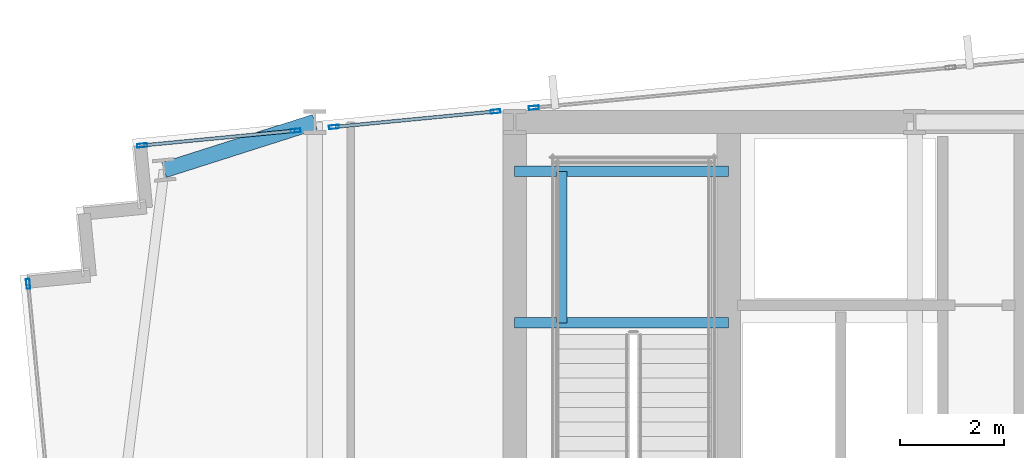
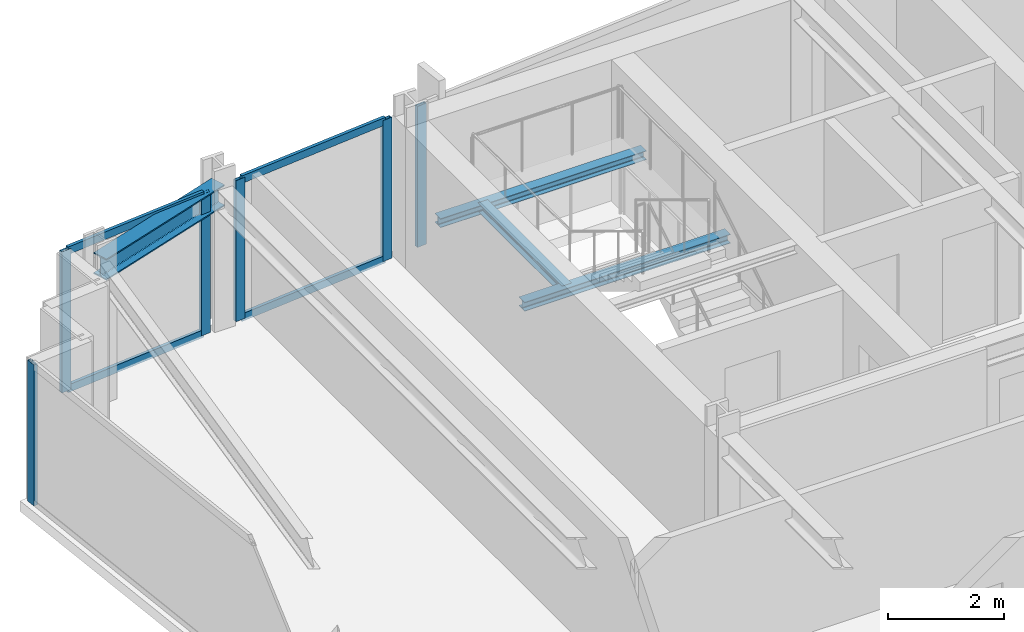
# One storey, part 17 of 32: 10 members, 4 beams, 4 elements without a shape of their own.
"""IFC4 building model written with IfcOpenShell, lengths in metres."""

from ifc_helpers import new_model, si_unit, direction, frame, origin, origin_2d, place, context, subcontext, project, spatial, hollow_rectangle, i_section, extrude, material, material_profile, profile_set, type_object, element, aggregate, save


model = new_model("IFC4")

# Units and contexts
model_context = context("Model", 3, precision=1e-05, world=origin(), true_north=direction((0.0, 1.0)))
body_context = subcontext(model_context, "Body", "Model", "MODEL_VIEW")
ifc_project = project(units=[si_unit("LENGTHUNIT", "METRE"), si_unit("AREAUNIT", "SQUARE_METRE"), si_unit("VOLUMEUNIT", "CUBIC_METRE"), si_unit("PLANEANGLEUNIT", "RADIAN"), si_unit("MASSUNIT", "GRAM", prefix="KILO")], contexts=[model_context])

# Site, building, storey
site_placement = place(None, origin())
site = spatial("IfcSite", under=ifc_project, at=site_placement, CompositionType="ELEMENT")
building_placement = place(site_placement, origin())
building = spatial("IfcBuilding", under=site, at=building_placement, Name="Yelkora Congress Tower", CompositionType="ELEMENT")
storey_placement = place(building_placement, frame((0.0, 0.0, 133.89990234375)))
storey = spatial("IfcBuildingStorey", under=building, at=storey_placement, Name="L36", CompositionType="ELEMENT", Elevation=133.89990234375)

# Beams
ifc_material_1 = material(Name="Steel S355J2", Category="steel")
ifc_material_profile_1 = material_profile(ifc_material_1, i_section(OverallWidth=0.300048828125, OverallDepth=0.449951171875, WebThickness=0.013916015625, FlangeThickness=0.02587890625, FilletRadius=0.027099609375, at=origin_2d()), Name="HEB 450")
ifc_profile_set_1 = profile_set([ifc_material_profile_1], Name="Steel S355J2")
beam_type_1 = type_object("IfcBeamType", Name="BM-GIRD-HEB450", PredefinedType="BEAM", material=ifc_profile_set_1)
beam_1_placement = place(storey_placement, frame((16.306884765625, 45.27734375, 2.755126953125), z_axis=(0.952727067409, 0.303827475759, 0.0), x_axis=(-0.303827475759, 0.952727067409, 0.0)))
element("IfcBeam", 1, at=beam_1_placement, inside=storey, type_object=beam_type_1, Name="L36 Primary Frame Girder N01", PredefinedType="BEAM", context=body_context, shape_type="SweptSolid", body=[
    extrude(i_section(OverallWidth=0.300048828125, OverallDepth=0.449951171875, WebThickness=0.013916015625, FlangeThickness=0.02587890625, FilletRadius=0.027099609375, at=origin_2d()), origin(), (0.0, 0.0, 1.0), 3.03662109375),
])
ifc_material_profile_2 = material_profile(ifc_material_1, i_section(OverallWidth=0.199951171875, OverallDepth=0.18994140625, WebThickness=0.006591796875, FlangeThickness=0.010009765625, FilletRadius=0.01806640625, at=origin_2d()), Name="HEA 200")
ifc_profile_set_2 = profile_set([ifc_material_profile_2], Name="Steel S355J2")
beam_type_2 = type_object("IfcBeamType", Name="BM-LAND-HEA200", PredefinedType="BEAM", material=ifc_profile_set_2)
for number, where, z_axis, x_axis, name in (
    (2, (23.0400390625, 42.340087890625, 1.384765625), (1.0, 0.0, 0.0), (0.0, 1.0, 0.0), "ST-01 L36 Landing Header Beam 1S"),
    (3, (23.0400390625, 45.25, 1.384765625), (1.0, 0.0, 0.0), (0.0, 1.0, 0.0), "ST-01 L36 Landing Header Beam 1N"),
):
    element("IfcBeam", number, at=place(storey_placement, frame(where, z_axis=z_axis, x_axis=x_axis)), inside=storey, type_object=beam_type_2, Name=name, PredefinedType="BEAM", context=body_context, shape_type="SweptSolid", body=[
        extrude(i_section(OverallWidth=0.199951171875, OverallDepth=0.18994140625, WebThickness=0.006591796875, FlangeThickness=0.010009765625, FilletRadius=0.01806640625, at=origin_2d()), origin(), (0.0, 0.0, 1.0), 4.10986328125),
    ])
beam_2_placement = place(storey_placement, frame((23.93994140625, 42.340087890625, 1.384765625), z_axis=(0.0, 1.0, 0.0), x_axis=(-1.0, 0.0, 0.0)))
element("IfcBeam", 4, at=beam_2_placement, inside=storey, type_object=beam_type_2, Name="ST-01 L36 Landing Trimmer Beam 1M", PredefinedType="BEAM", context=body_context, shape_type="SweptSolid", body=[
    extrude(i_section(OverallWidth=0.199951171875, OverallDepth=0.18994140625, WebThickness=0.006591796875, FlangeThickness=0.010009765625, FilletRadius=0.01806640625, at=origin_2d()), origin(), (0.0, 0.0, 1.0), 2.909912109375),
])

# Curtain wall, member
ifc_material_2 = material(Name="Anodised aluminium and insulated glass", Category="aluminium")
curtain_wall_type = type_object("IfcCurtainWallType", Name="CW-SYS-B2", PredefinedType="NOTDEFINED", material=ifc_material_2)
curtain_wall_1_placement = place(storey_placement, origin())
curtain_wall_1 = element("IfcCurtainWall", 5, at=curtain_wall_1_placement, inside=storey, type_object=curtain_wall_type, Name="L36 Unitised Curtain Wall 5", PredefinedType="NOTDEFINED")
ifc_material_3 = material(Name="Anodised aluminium 6063-T6", Category="aluminium")
ifc_material_profile_3 = material_profile(ifc_material_3, hollow_rectangle(XDim=0.070068359375, YDim=0.18994140625, WallThickness=0.00390625, at=origin_2d()), Name="ALU 70x190x4")
ifc_profile_set_3 = profile_set([ifc_material_profile_3], Name="Anodised aluminium 6063-T6")
member_type_1 = type_object("IfcMemberType", Name="MEM-ML-B2", PredefinedType="MULLION", material=ifc_profile_set_3)
member_1_placement = place(storey_placement, frame((13.6943359375, 43.091796875, 0.0), z_axis=(0.0, 0.0, 1.0), x_axis=(-0.995396507508, -0.095842541913, 0.0)))
member_1 = element("IfcMember", 6, at=member_1_placement, type_object=member_type_1, Name="CW-B2 mullion 5", PredefinedType="MULLION", context=body_context, shape_type="SweptSolid", body=[
    extrude(hollow_rectangle(XDim=0.070068359375, YDim=0.18994140625, WallThickness=0.00390625, at=origin_2d()), origin(), (0.0, 0.0, 1.0), 2.97998046875),
])
aggregate(curtain_wall_1, [member_1])

# Curtain wall, members
curtain_wall_2_placement = place(storey_placement, origin())
curtain_wall_2 = element("IfcCurtainWall", 7, at=curtain_wall_2_placement, inside=storey, type_object=curtain_wall_type, Name="L36 Unitised Curtain Wall 10 (1)", PredefinedType="NOTDEFINED")
member_2_placement = place(storey_placement, frame((15.884521484375, 45.7490234375, 0.0), z_axis=(0.0, 0.0, 1.0), x_axis=(-0.095839346142, 0.99539681521, 0.0)))
member_2 = element("IfcMember", 8, at=member_2_placement, type_object=member_type_1, Name="CW-B2 mullion 1", PredefinedType="MULLION", context=body_context, shape_type="SweptSolid", body=[
    extrude(hollow_rectangle(XDim=0.070068359375, YDim=0.18994140625, WallThickness=0.00390625, at=origin_2d()), origin(), (0.0, 0.0, 1.0), 2.97998046875),
])
member_3_placement = place(storey_placement, frame((18.833251953125, 46.032958984375, 0.0), z_axis=(0.0, 0.0, 1.0), x_axis=(-0.095839346142, 0.99539681521, 0.0)))
member_3 = element("IfcMember", 9, at=member_3_placement, type_object=member_type_1, Name="CW-B2 mullion 2", PredefinedType="MULLION", context=body_context, shape_type="SweptSolid", body=[
    extrude(hollow_rectangle(XDim=0.070068359375, YDim=0.18994140625, WallThickness=0.00390625, at=origin_2d()), origin(), (0.0, 0.0, 1.0), 2.97998046875),
])

curtain_wall_3_placement = place(storey_placement, origin())
curtain_wall_3 = element("IfcCurtainWall", 10, at=curtain_wall_3_placement, inside=storey, type_object=curtain_wall_type, Name="L36 Unitised Curtain Wall 10 (2)", PredefinedType="NOTDEFINED")
member_4_placement = place(storey_placement, frame((19.56689453125, 46.103515625, 0.0), z_axis=(0.0, 0.0, 1.0), x_axis=(-0.095841399764, 0.99539661748, 0.0)))
member_4 = element("IfcMember", 11, at=member_4_placement, type_object=member_type_1, Name="CW-B2 mullion 1", PredefinedType="MULLION", context=body_context, shape_type="SweptSolid", body=[
    extrude(hollow_rectangle(XDim=0.070068359375, YDim=0.18994140625, WallThickness=0.00390625, at=origin_2d()), origin(), (0.0, 0.0, 1.0), 2.97998046875),
])
member_5_placement = place(storey_placement, frame((22.673095703125, 46.402587890625, 0.0), z_axis=(0.0, 0.0, 1.0), x_axis=(-0.095841399764, 0.99539661748, 0.0)))
member_5 = element("IfcMember", 12, at=member_5_placement, type_object=member_type_1, Name="CW-B2 mullion 2", PredefinedType="MULLION", context=body_context, shape_type="SweptSolid", body=[
    extrude(hollow_rectangle(XDim=0.070068359375, YDim=0.18994140625, WallThickness=0.00390625, at=origin_2d()), origin(), (0.0, 0.0, 1.0), 2.97998046875),
])

# Curtain wall, member
curtain_wall_4_placement = place(storey_placement, origin())
curtain_wall_4 = element("IfcCurtainWall", 13, at=curtain_wall_4_placement, inside=storey, type_object=curtain_wall_type, Name="L36 Unitised Curtain Wall 10 (3)", PredefinedType="NOTDEFINED")
member_6_placement = place(storey_placement, frame((23.40673828125, 46.473388671875, 0.0), z_axis=(0.0, 0.0, 1.0), x_axis=(-0.095844238468, 0.995396344153, 0.0)))
member_6 = element("IfcMember", 14, at=member_6_placement, type_object=member_type_1, Name="CW-B2 mullion 1", PredefinedType="MULLION", context=body_context, shape_type="SweptSolid", body=[
    extrude(hollow_rectangle(XDim=0.070068359375, YDim=0.18994140625, WallThickness=0.00390625, at=origin_2d()), origin(), (0.0, 0.0, 1.0), 2.97998046875),
])
aggregate(curtain_wall_4, [member_6])

# Member
ifc_material_profile_4 = material_profile(ifc_material_3, hollow_rectangle(XDim=0.06494140625, YDim=0.159912109375, WallThickness=0.00390625, at=origin_2d()), Name="ALU 65x160x4")
ifc_profile_set_4 = profile_set([ifc_material_profile_4], Name="Anodised aluminium 6063-T6")
member_type_2 = type_object("IfcMemberType", Name="MEM-TR-B2", PredefinedType="USERDEFINED", material=ifc_profile_set_4)
member_7_placement = place(storey_placement, frame((15.91943359375, 45.75244140625, 0.03271484375), z_axis=(0.995399744854, 0.095808913705, 0.0), x_axis=(-0.095808913705, 0.995399744854, 0.0)))
member_7 = element("IfcMember", 15, at=member_7_placement, type_object=member_type_2, Name="CW-B2 transom 1.1", ObjectType="TRANSOM", PredefinedType="USERDEFINED", context=body_context, shape_type="SweptSolid", body=[
    extrude(hollow_rectangle(XDim=0.06494140625, YDim=0.159912109375, WallThickness=0.00390625, at=origin_2d()), origin(), (0.0, 0.0, 1.0), 2.89208984375),
])

member_8_placement = place(storey_placement, frame((15.91943359375, 45.75244140625, 2.947509765625), z_axis=(0.995399744854, 0.095808913705, 0.0), x_axis=(-0.095808913705, 0.995399744854, 0.0)))
member_8 = element("IfcMember", 16, at=member_8_placement, type_object=member_type_2, Name="CW-B2 transom 1.2", ObjectType="TRANSOM", PredefinedType="USERDEFINED", context=body_context, shape_type="SweptSolid", body=[
    extrude(hollow_rectangle(XDim=0.06494140625, YDim=0.159912109375, WallThickness=0.00390625, at=origin_2d()), origin(), (0.0, 0.0, 1.0), 2.89208984375),
])

aggregate(curtain_wall_2, [member_2, member_3, member_7, member_8])

member_9_placement = place(storey_placement, frame((19.6015625, 46.10693359375, 0.03271484375), z_axis=(0.995401842144, 0.095787121557, 0.0), x_axis=(-0.095787121557, 0.995401842144, 0.0)))
member_9 = element("IfcMember", 17, at=member_9_placement, type_object=member_type_2, Name="CW-B2 transom 1.1", ObjectType="TRANSOM", PredefinedType="USERDEFINED", context=body_context, shape_type="SweptSolid", body=[
    extrude(hollow_rectangle(XDim=0.06494140625, YDim=0.159912109375, WallThickness=0.00390625, at=origin_2d()), origin(), (0.0, 0.0, 1.0), 3.05078125),
])

member_10_placement = place(storey_placement, frame((19.6015625, 46.10693359375, 2.947509765625), z_axis=(0.995401842144, 0.095787121557, 0.0), x_axis=(-0.095787121557, 0.995401842144, 0.0)))
member_10 = element("IfcMember", 18, at=member_10_placement, type_object=member_type_2, Name="CW-B2 transom 1.2", ObjectType="TRANSOM", PredefinedType="USERDEFINED", context=body_context, shape_type="SweptSolid", body=[
    extrude(hollow_rectangle(XDim=0.06494140625, YDim=0.159912109375, WallThickness=0.00390625, at=origin_2d()), origin(), (0.0, 0.0, 1.0), 3.05078125),
])

aggregate(curtain_wall_3, [member_4, member_5, member_9, member_10])

save(model, "model.ifc")
